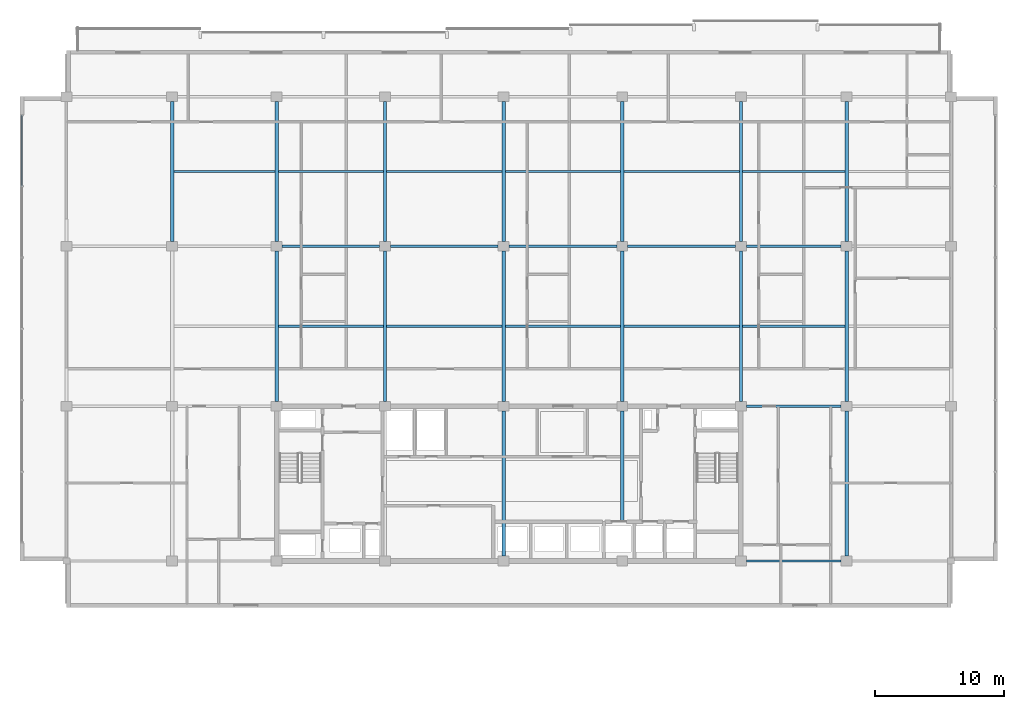
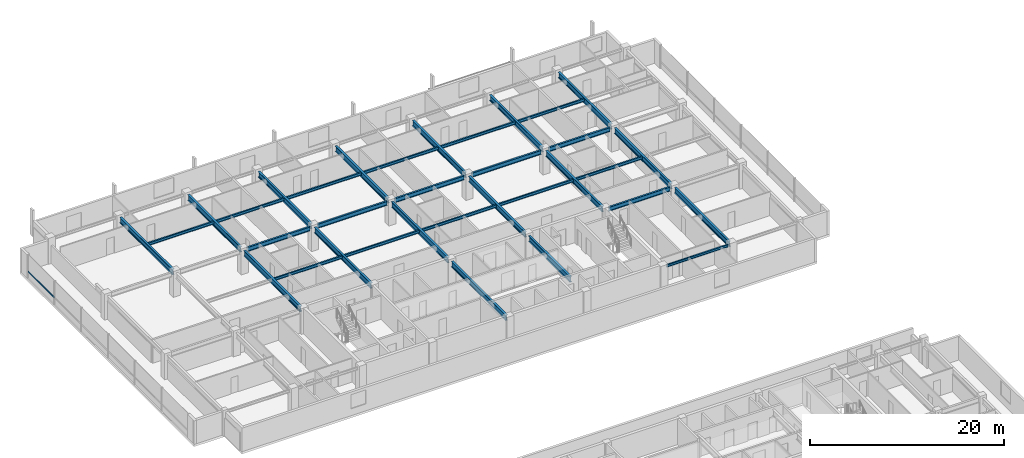
# One storey, part 9 of 32: 34 beams, 1 member, 1 element without a shape of its own.
"""IFC4 building model written with IfcOpenShell, lengths in metres."""

from ifc_helpers import new_model, si_unit, direction, frame, origin, origin_2d, place, context, subcontext, project, spatial, hollow_rectangle, i_section, extrude, material, layer, layer_set, material_profile, profile_set, type_object, element, aggregate, save


model = new_model("IFC4")

# Units and contexts
model_context = context("Model", 3, precision=1e-05, world=origin(), true_north=direction((0.0, 1.0)))
body_context = subcontext(model_context, "Body", "Model", "MODEL_VIEW")
ifc_project = project(units=[si_unit("LENGTHUNIT", "METRE"), si_unit("AREAUNIT", "SQUARE_METRE"), si_unit("VOLUMEUNIT", "CUBIC_METRE"), si_unit("PLANEANGLEUNIT", "RADIAN"), si_unit("MASSUNIT", "GRAM", prefix="KILO")], contexts=[model_context])

# Site, building, storey
site_placement = place(None, origin())
site = spatial("IfcSite", under=ifc_project, at=site_placement, CompositionType="ELEMENT")
building_placement = place(site_placement, origin())
building = spatial("IfcBuilding", under=site, at=building_placement, Name="Korimba Cascade Residences", CompositionType="ELEMENT")
storey_placement = place(building_placement, frame((0.0, 0.0, 178.35009765625)))
storey = spatial("IfcBuildingStorey", under=building, at=storey_placement, Name="L51", CompositionType="ELEMENT", Elevation=178.35009765625)

# Beams
ifc_material_1 = material(Name="Steel S355", Category="steel")
ifc_material_profile_1 = material_profile(ifc_material_1, i_section(OverallWidth=0.165771484375, OverallDepth=0.306640625, WebThickness=0.006591796875, FlangeThickness=0.01171875, FilletRadius=0.0087890625, at=origin_2d()), Name="Steel S355")
ifc_profile_set_1 = profile_set([ifc_material_profile_1], Name="Steel S355")
beam_type_1 = type_object("IfcBeamType", Name="BM-STL-UB305", PredefinedType="SPANDREL", material=ifc_profile_set_1)
beam_1_placement = place(storey_placement, frame((112.52490234375, 55.199951171875, 2.816650390625), z_axis=(1.0, 0.0, 0.0), x_axis=(0.0, 1.0, 0.0)))
element("IfcBeam", 1, at=beam_1_placement, inside=storey, type_object=beam_type_1, Name="L51 T1 E-W Girder Y1 Bay 7", PredefinedType="SPANDREL", context=body_context, shape_type="SweptSolid", body=[
    extrude(i_section(OverallWidth=0.165771484375, OverallDepth=0.306640625, WebThickness=0.006591796875, FlangeThickness=0.01171875, FilletRadius=0.0087890625, at=origin_2d()), origin(), (0.0, 0.0, 1.0), 7.35009765625),
])
ifc_material_profile_2 = material_profile(ifc_material_1, i_section(OverallWidth=0.172119140625, OverallDepth=0.35791015625, WebThickness=0.008056640625, FlangeThickness=0.012939453125, FilletRadius=0.01025390625, at=origin_2d()), Name="Steel S355")
ifc_profile_set_2 = profile_set([ifc_material_profile_2], Name="Steel S355")
beam_type_2 = type_object("IfcBeamType", Name="BM-STL-UB356", PredefinedType="JOIST", material=ifc_profile_set_2)
beam_2_placement = place(storey_placement, frame((76.227783203125, 73.39990234375, 2.791015625), z_axis=(1.0, 0.0, 0.0), x_axis=(0.0, 1.0, 0.0)))
element("IfcBeam", 2, at=beam_2_placement, inside=storey, type_object=beam_type_2, Name="L51 T1 Floor Joist 1.3", PredefinedType="JOIST", context=body_context, shape_type="SweptSolid", body=[
    extrude(i_section(OverallWidth=0.172119140625, OverallDepth=0.35791015625, WebThickness=0.008056640625, FlangeThickness=0.012939453125, FilletRadius=0.01025390625, at=origin_2d()), origin(), (0.0, 0.0, 1.0), 8.144287109375),
])
beam_3_placement = place(storey_placement, frame((84.6279296875, 73.39990234375, 2.791015625), z_axis=(1.0, 0.0, 0.0), x_axis=(0.0, 1.0, 0.0)))
element("IfcBeam", 3, at=beam_3_placement, inside=storey, type_object=beam_type_2, Name="L51 T1 Floor Joist 1.4", PredefinedType="JOIST", context=body_context, shape_type="SweptSolid", body=[
    extrude(i_section(OverallWidth=0.172119140625, OverallDepth=0.35791015625, WebThickness=0.008056640625, FlangeThickness=0.012939453125, FilletRadius=0.01025390625, at=origin_2d()), origin(), (0.0, 0.0, 1.0), 8.944091796875),
])
for number, where, z_axis, x_axis, name in (
    (4, (93.827880859375, 73.39990234375, 2.791015625), (1.0, 0.0, 0.0), (0.0, 1.0, 0.0), "L51 T1 Floor Joist 1.5"),
    (5, (103.02783203125, 73.39990234375, 2.791015625), (1.0, 0.0, 0.0), (0.0, 1.0, 0.0), "L51 T1 Floor Joist 1.6"),
):
    element("IfcBeam", number, at=place(storey_placement, frame(where, z_axis=z_axis, x_axis=x_axis)), inside=storey, type_object=beam_type_2, Name=name, PredefinedType="JOIST", context=body_context, shape_type="SweptSolid", body=[
        extrude(i_section(OverallWidth=0.172119140625, OverallDepth=0.35791015625, WebThickness=0.008056640625, FlangeThickness=0.012939453125, FilletRadius=0.01025390625, at=origin_2d()), origin(), (0.0, 0.0, 1.0), 8.9443359375),
    ])
beam_4_placement = place(storey_placement, frame((112.227783203125, 73.39990234375, 2.791015625), z_axis=(1.0, 0.0, 0.0), x_axis=(0.0, 1.0, 0.0)))
element("IfcBeam", 6, at=beam_4_placement, inside=storey, type_object=beam_type_2, Name="L51 T1 Floor Joist 1.7", PredefinedType="JOIST", context=body_context, shape_type="SweptSolid", body=[
    extrude(i_section(OverallWidth=0.172119140625, OverallDepth=0.35791015625, WebThickness=0.008056640625, FlangeThickness=0.012939453125, FilletRadius=0.01025390625, at=origin_2d()), origin(), (0.0, 0.0, 1.0), 7.9443359375),
])
beam_5_placement = place(storey_placement, frame((68.1279296875, 85.39990234375, 2.791015625), z_axis=(1.0, 0.0, 0.0), x_axis=(0.0, 1.0, 0.0)))
element("IfcBeam", 7, at=beam_5_placement, inside=storey, type_object=beam_type_2, Name="L51 T1 Floor Joist 2.2", PredefinedType="JOIST", context=body_context, shape_type="SweptSolid", body=[
    extrude(i_section(OverallWidth=0.172119140625, OverallDepth=0.35791015625, WebThickness=0.008056640625, FlangeThickness=0.012939453125, FilletRadius=0.01025390625, at=origin_2d()), origin(), (0.0, 0.0, 1.0), 7.84423828125),
])
beam_6_placement = place(storey_placement, frame((76.227783203125, 85.39990234375, 2.791015625), z_axis=(1.0, 0.0, 0.0), x_axis=(0.0, 1.0, 0.0)))
element("IfcBeam", 8, at=beam_6_placement, inside=storey, type_object=beam_type_2, Name="L51 T1 Floor Joist 2.3", PredefinedType="JOIST", context=body_context, shape_type="SweptSolid", body=[
    extrude(i_section(OverallWidth=0.172119140625, OverallDepth=0.35791015625, WebThickness=0.008056640625, FlangeThickness=0.012939453125, FilletRadius=0.01025390625, at=origin_2d()), origin(), (0.0, 0.0, 1.0), 8.144287109375),
])
beam_7_placement = place(storey_placement, frame((84.6279296875, 85.39990234375, 2.791015625), z_axis=(1.0, 0.0, 0.0), x_axis=(0.0, 1.0, 0.0)))
element("IfcBeam", 9, at=beam_7_placement, inside=storey, type_object=beam_type_2, Name="L51 T1 Floor Joist 2.4", PredefinedType="JOIST", context=body_context, shape_type="SweptSolid", body=[
    extrude(i_section(OverallWidth=0.172119140625, OverallDepth=0.35791015625, WebThickness=0.008056640625, FlangeThickness=0.012939453125, FilletRadius=0.01025390625, at=origin_2d()), origin(), (0.0, 0.0, 1.0), 8.944091796875),
])
for number, where, z_axis, x_axis, name in (
    (10, (93.827880859375, 85.39990234375, 2.791015625), (1.0, 0.0, 0.0), (0.0, 1.0, 0.0), "L51 T1 Floor Joist 2.5"),
    (11, (103.02783203125, 85.39990234375, 2.791015625), (1.0, 0.0, 0.0), (0.0, 1.0, 0.0), "L51 T1 Floor Joist 2.6"),
):
    element("IfcBeam", number, at=place(storey_placement, frame(where, z_axis=z_axis, x_axis=x_axis)), inside=storey, type_object=beam_type_2, Name=name, PredefinedType="JOIST", context=body_context, shape_type="SweptSolid", body=[
        extrude(i_section(OverallWidth=0.172119140625, OverallDepth=0.35791015625, WebThickness=0.008056640625, FlangeThickness=0.012939453125, FilletRadius=0.01025390625, at=origin_2d()), origin(), (0.0, 0.0, 1.0), 8.9443359375),
    ])
beam_8_placement = place(storey_placement, frame((112.227783203125, 85.39990234375, 2.791015625), z_axis=(1.0, 0.0, 0.0), x_axis=(0.0, 1.0, 0.0)))
element("IfcBeam", 12, at=beam_8_placement, inside=storey, type_object=beam_type_2, Name="L51 T1 Floor Joist 2.7", PredefinedType="JOIST", context=body_context, shape_type="SweptSolid", body=[
    extrude(i_section(OverallWidth=0.172119140625, OverallDepth=0.35791015625, WebThickness=0.008056640625, FlangeThickness=0.012939453125, FilletRadius=0.01025390625, at=origin_2d()), origin(), (0.0, 0.0, 1.0), 7.9443359375),
])
ifc_material_profile_3 = material_profile(ifc_material_1, i_section(OverallWidth=0.2099609375, OverallDepth=0.53662109375, WebThickness=0.0107421875, FlangeThickness=0.017333984375, FilletRadius=0.0126953125, at=origin_2d()), Name="Steel S355")
ifc_profile_set_3 = profile_set([ifc_material_profile_3], Name="Steel S355")
beam_type_3 = type_object("IfcBeamType", Name="BM-STL-UB533", PredefinedType="BEAM", material=ifc_profile_set_3)
beam_9_placement = place(storey_placement, frame((112.52490234375, 67.199951171875, 2.701416015625), z_axis=(1.0, 0.0, 0.0), x_axis=(0.0, 1.0, 0.0)))
element("IfcBeam", 13, at=beam_9_placement, inside=storey, type_object=beam_type_3, Name="L51 T1 E-W Girder Y2 Bay 7", PredefinedType="BEAM", context=body_context, shape_type="SweptSolid", body=[
    extrude(i_section(OverallWidth=0.2099609375, OverallDepth=0.53662109375, WebThickness=0.0107421875, FlangeThickness=0.017333984375, FilletRadius=0.0126953125, at=origin_2d()), origin(), (0.0, 0.0, 1.0), 7.35009765625),
])
beam_10_placement = place(storey_placement, frame((76.52490234375, 79.60009765625, 2.701416015625), z_axis=(1.0, 0.0, 0.0), x_axis=(0.0, 1.0, 0.0)))
element("IfcBeam", 14, at=beam_10_placement, inside=storey, type_object=beam_type_3, Name="L51 T1 E-W Girder Y3 Bay 3", PredefinedType="BEAM", context=body_context, shape_type="SweptSolid", body=[
    extrude(i_section(OverallWidth=0.2099609375, OverallDepth=0.53662109375, WebThickness=0.0107421875, FlangeThickness=0.017333984375, FilletRadius=0.0126953125, at=origin_2d()), origin(), (0.0, 0.0, 1.0), 7.550048828125),
])
beam_11_placement = place(storey_placement, frame((84.925048828125, 79.60009765625, 2.701416015625), z_axis=(1.0, 0.0, 0.0), x_axis=(0.0, 1.0, 0.0)))
element("IfcBeam", 15, at=beam_11_placement, inside=storey, type_object=beam_type_3, Name="L51 T1 E-W Girder Y3 Bay 4", PredefinedType="BEAM", context=body_context, shape_type="SweptSolid", body=[
    extrude(i_section(OverallWidth=0.2099609375, OverallDepth=0.53662109375, WebThickness=0.0107421875, FlangeThickness=0.017333984375, FilletRadius=0.0126953125, at=origin_2d()), origin(), (0.0, 0.0, 1.0), 8.349853515625),
])
for number, where, z_axis, x_axis, name in (
    (16, (94.125, 79.60009765625, 2.701416015625), (1.0, 0.0, 0.0), (0.0, 1.0, 0.0), "L51 T1 E-W Girder Y3 Bay 5"),
    (17, (103.324951171875, 79.60009765625, 2.701416015625), (1.0, 0.0, 0.0), (0.0, 1.0, 0.0), "L51 T1 E-W Girder Y3 Bay 6"),
):
    element("IfcBeam", number, at=place(storey_placement, frame(where, z_axis=z_axis, x_axis=x_axis)), inside=storey, type_object=beam_type_3, Name=name, PredefinedType="BEAM", context=body_context, shape_type="SweptSolid", body=[
        extrude(i_section(OverallWidth=0.2099609375, OverallDepth=0.53662109375, WebThickness=0.0107421875, FlangeThickness=0.017333984375, FilletRadius=0.0126953125, at=origin_2d()), origin(), (0.0, 0.0, 1.0), 8.35009765625),
    ])
beam_12_placement = place(storey_placement, frame((112.52490234375, 79.60009765625, 2.701416015625), z_axis=(1.0, 0.0, 0.0), x_axis=(0.0, 1.0, 0.0)))
element("IfcBeam", 18, at=beam_12_placement, inside=storey, type_object=beam_type_3, Name="L51 T1 E-W Girder Y3 Bay 7", PredefinedType="BEAM", context=body_context, shape_type="SweptSolid", body=[
    extrude(i_section(OverallWidth=0.2099609375, OverallDepth=0.53662109375, WebThickness=0.0107421875, FlangeThickness=0.017333984375, FilletRadius=0.0126953125, at=origin_2d()), origin(), (0.0, 0.0, 1.0), 7.35009765625),
])
ifc_material_profile_4 = material_profile(ifc_material_1, i_section(OverallWidth=0.255859375, OverallDepth=0.69287109375, WebThickness=0.014404296875, FlangeThickness=0.023681640625, FilletRadius=0.01513671875, at=origin_2d()), Name="Steel S355")
ifc_profile_set_4 = profile_set([ifc_material_profile_4], Name="Steel S355")
beam_type_4 = type_object("IfcBeamType", Name="BM-STL-UB686", PredefinedType="BEAM", material=ifc_profile_set_4)
beam_13_placement = place(storey_placement, frame((68.0, 79.97509765625, 2.623291015625), z_axis=(0.0, 1.0, 0.0), x_axis=(-1.0, 0.0, 0.0)))
element("IfcBeam", 19, at=beam_13_placement, inside=storey, type_object=beam_type_4, Name="L51 T1 N-S Girder X2 Seg 3", PredefinedType="BEAM", context=body_context, shape_type="SweptSolid", body=[
    extrude(i_section(OverallWidth=0.255859375, OverallDepth=0.69287109375, WebThickness=0.014404296875, FlangeThickness=0.023681640625, FilletRadius=0.01513671875, at=origin_2d()), origin(), (0.0, 0.0, 1.0), 10.849853515625),
])
beam_14_placement = place(storey_placement, frame((76.10009765625, 67.574951171875, 2.623291015625), z_axis=(0.0, 1.0, 0.0), x_axis=(-1.0, 0.0, 0.0)))
element("IfcBeam", 20, at=beam_14_placement, inside=storey, type_object=beam_type_4, Name="L51 T1 N-S Girder X3 Seg 2", PredefinedType="BEAM", context=body_context, shape_type="SweptSolid", body=[
    extrude(i_section(OverallWidth=0.255859375, OverallDepth=0.69287109375, WebThickness=0.014404296875, FlangeThickness=0.023681640625, FilletRadius=0.01513671875, at=origin_2d()), origin(), (0.0, 0.0, 1.0), 11.650146484375),
])
beam_15_placement = place(storey_placement, frame((76.10009765625, 79.97509765625, 2.623291015625), z_axis=(0.0, 1.0, 0.0), x_axis=(-1.0, 0.0, 0.0)))
element("IfcBeam", 21, at=beam_15_placement, inside=storey, type_object=beam_type_4, Name="L51 T1 N-S Girder X3 Seg 3", PredefinedType="BEAM", context=body_context, shape_type="SweptSolid", body=[
    extrude(i_section(OverallWidth=0.255859375, OverallDepth=0.69287109375, WebThickness=0.014404296875, FlangeThickness=0.023681640625, FilletRadius=0.01513671875, at=origin_2d()), origin(), (0.0, 0.0, 1.0), 10.849853515625),
])
beam_16_placement = place(storey_placement, frame((84.5, 67.574951171875, 2.623291015625), z_axis=(0.0, 1.0, 0.0), x_axis=(-1.0, 0.0, 0.0)))
element("IfcBeam", 22, at=beam_16_placement, inside=storey, type_object=beam_type_4, Name="L51 T1 N-S Girder X4 Seg 2", PredefinedType="BEAM", context=body_context, shape_type="SweptSolid", body=[
    extrude(i_section(OverallWidth=0.255859375, OverallDepth=0.69287109375, WebThickness=0.014404296875, FlangeThickness=0.023681640625, FilletRadius=0.01513671875, at=origin_2d()), origin(), (0.0, 0.0, 1.0), 11.650146484375),
])
beam_17_placement = place(storey_placement, frame((84.5, 79.97509765625, 2.623291015625), z_axis=(0.0, 1.0, 0.0), x_axis=(-1.0, 0.0, 0.0)))
element("IfcBeam", 23, at=beam_17_placement, inside=storey, type_object=beam_type_4, Name="L51 T1 N-S Girder X4 Seg 3", PredefinedType="BEAM", context=body_context, shape_type="SweptSolid", body=[
    extrude(i_section(OverallWidth=0.255859375, OverallDepth=0.69287109375, WebThickness=0.014404296875, FlangeThickness=0.023681640625, FilletRadius=0.01513671875, at=origin_2d()), origin(), (0.0, 0.0, 1.0), 10.849853515625),
])
beam_18_placement = place(storey_placement, frame((93.699951171875, 55.574951171875, 2.623291015625), z_axis=(0.0, 1.0, 0.0), x_axis=(-1.0, 0.0, 0.0)))
element("IfcBeam", 24, at=beam_18_placement, inside=storey, type_object=beam_type_4, Name="L51 T1 N-S Girder X5 Seg 1", PredefinedType="BEAM", context=body_context, shape_type="SweptSolid", body=[
    extrude(i_section(OverallWidth=0.255859375, OverallDepth=0.69287109375, WebThickness=0.014404296875, FlangeThickness=0.023681640625, FilletRadius=0.01513671875, at=origin_2d()), origin(), (0.0, 0.0, 1.0), 11.25),
])
beam_19_placement = place(storey_placement, frame((93.699951171875, 67.574951171875, 2.623291015625), z_axis=(0.0, 1.0, 0.0), x_axis=(-1.0, 0.0, 0.0)))
element("IfcBeam", 25, at=beam_19_placement, inside=storey, type_object=beam_type_4, Name="L51 T1 N-S Girder X5 Seg 2", PredefinedType="BEAM", context=body_context, shape_type="SweptSolid", body=[
    extrude(i_section(OverallWidth=0.255859375, OverallDepth=0.69287109375, WebThickness=0.014404296875, FlangeThickness=0.023681640625, FilletRadius=0.01513671875, at=origin_2d()), origin(), (0.0, 0.0, 1.0), 11.650146484375),
])
beam_20_placement = place(storey_placement, frame((93.699951171875, 79.97509765625, 2.623291015625), z_axis=(0.0, 1.0, 0.0), x_axis=(-1.0, 0.0, 0.0)))
element("IfcBeam", 26, at=beam_20_placement, inside=storey, type_object=beam_type_4, Name="L51 T1 N-S Girder X5 Seg 3", PredefinedType="BEAM", context=body_context, shape_type="SweptSolid", body=[
    extrude(i_section(OverallWidth=0.255859375, OverallDepth=0.69287109375, WebThickness=0.014404296875, FlangeThickness=0.023681640625, FilletRadius=0.01513671875, at=origin_2d()), origin(), (0.0, 0.0, 1.0), 10.849853515625),
])
beam_21_placement = place(storey_placement, frame((102.89990234375, 58.260009765625, 2.623291015625), z_axis=(0.0, 1.0, 0.0), x_axis=(-1.0, 0.0, 0.0)))
element("IfcBeam", 27, at=beam_21_placement, inside=storey, type_object=beam_type_4, Name="L51 T1 N-S Girder X6 Seg 1", PredefinedType="BEAM", context=body_context, shape_type="SweptSolid", body=[
    extrude(i_section(OverallWidth=0.255859375, OverallDepth=0.69287109375, WebThickness=0.014404296875, FlangeThickness=0.023681640625, FilletRadius=0.01513671875, at=origin_2d()), origin(), (0.0, 0.0, 1.0), 8.56494140625),
])
beam_22_placement = place(storey_placement, frame((102.89990234375, 67.574951171875, 2.623291015625), z_axis=(0.0, 1.0, 0.0), x_axis=(-1.0, 0.0, 0.0)))
element("IfcBeam", 28, at=beam_22_placement, inside=storey, type_object=beam_type_4, Name="L51 T1 N-S Girder X6 Seg 2", PredefinedType="BEAM", context=body_context, shape_type="SweptSolid", body=[
    extrude(i_section(OverallWidth=0.255859375, OverallDepth=0.69287109375, WebThickness=0.014404296875, FlangeThickness=0.023681640625, FilletRadius=0.01513671875, at=origin_2d()), origin(), (0.0, 0.0, 1.0), 11.650146484375),
])
beam_23_placement = place(storey_placement, frame((102.89990234375, 79.97509765625, 2.623291015625), z_axis=(0.0, 1.0, 0.0), x_axis=(-1.0, 0.0, 0.0)))
element("IfcBeam", 29, at=beam_23_placement, inside=storey, type_object=beam_type_4, Name="L51 T1 N-S Girder X6 Seg 3", PredefinedType="BEAM", context=body_context, shape_type="SweptSolid", body=[
    extrude(i_section(OverallWidth=0.255859375, OverallDepth=0.69287109375, WebThickness=0.014404296875, FlangeThickness=0.023681640625, FilletRadius=0.01513671875, at=origin_2d()), origin(), (0.0, 0.0, 1.0), 10.849853515625),
])
beam_24_placement = place(storey_placement, frame((112.10009765625, 67.574951171875, 2.623291015625), z_axis=(0.0, 1.0, 0.0), x_axis=(-1.0, 0.0, 0.0)))
element("IfcBeam", 30, at=beam_24_placement, inside=storey, type_object=beam_type_4, Name="L51 T1 N-S Girder X7 Seg 2", PredefinedType="BEAM", context=body_context, shape_type="SweptSolid", body=[
    extrude(i_section(OverallWidth=0.255859375, OverallDepth=0.69287109375, WebThickness=0.014404296875, FlangeThickness=0.023681640625, FilletRadius=0.01513671875, at=origin_2d()), origin(), (0.0, 0.0, 1.0), 11.650146484375),
])
beam_25_placement = place(storey_placement, frame((112.10009765625, 79.97509765625, 2.623291015625), z_axis=(0.0, 1.0, 0.0), x_axis=(-1.0, 0.0, 0.0)))
element("IfcBeam", 31, at=beam_25_placement, inside=storey, type_object=beam_type_4, Name="L51 T1 N-S Girder X7 Seg 3", PredefinedType="BEAM", context=body_context, shape_type="SweptSolid", body=[
    extrude(i_section(OverallWidth=0.255859375, OverallDepth=0.69287109375, WebThickness=0.014404296875, FlangeThickness=0.023681640625, FilletRadius=0.01513671875, at=origin_2d()), origin(), (0.0, 0.0, 1.0), 10.849853515625),
])
beam_26_placement = place(storey_placement, frame((120.300048828125, 55.574951171875, 2.623291015625), z_axis=(0.0, 1.0, 0.0), x_axis=(-1.0, 0.0, 0.0)))
element("IfcBeam", 32, at=beam_26_placement, inside=storey, type_object=beam_type_4, Name="L51 T1 N-S Girder X8 Seg 1", PredefinedType="BEAM", context=body_context, shape_type="SweptSolid", body=[
    extrude(i_section(OverallWidth=0.255859375, OverallDepth=0.69287109375, WebThickness=0.014404296875, FlangeThickness=0.023681640625, FilletRadius=0.01513671875, at=origin_2d()), origin(), (0.0, 0.0, 1.0), 11.25),
])
beam_27_placement = place(storey_placement, frame((120.300048828125, 67.574951171875, 2.623291015625), z_axis=(0.0, 1.0, 0.0), x_axis=(-1.0, 0.0, 0.0)))
element("IfcBeam", 33, at=beam_27_placement, inside=storey, type_object=beam_type_4, Name="L51 T1 N-S Girder X8 Seg 2", PredefinedType="BEAM", context=body_context, shape_type="SweptSolid", body=[
    extrude(i_section(OverallWidth=0.255859375, OverallDepth=0.69287109375, WebThickness=0.014404296875, FlangeThickness=0.023681640625, FilletRadius=0.01513671875, at=origin_2d()), origin(), (0.0, 0.0, 1.0), 11.650146484375),
])
beam_28_placement = place(storey_placement, frame((120.300048828125, 79.97509765625, 2.623291015625), z_axis=(0.0, 1.0, 0.0), x_axis=(-1.0, 0.0, 0.0)))
element("IfcBeam", 34, at=beam_28_placement, inside=storey, type_object=beam_type_4, Name="L51 T1 N-S Girder X8 Seg 3", PredefinedType="BEAM", context=body_context, shape_type="SweptSolid", body=[
    extrude(i_section(OverallWidth=0.255859375, OverallDepth=0.69287109375, WebThickness=0.014404296875, FlangeThickness=0.023681640625, FilletRadius=0.01513671875, at=origin_2d()), origin(), (0.0, 0.0, 1.0), 10.849853515625),
])

# Curtain wall, member
ifc_material_2 = material(Name="Anodised Aluminium Curtain Wall Framing", Category="aluminium")
ifc_layer = layer(ifc_material_2, 0.179931640625)
ifc_layer_set = layer_set([ifc_layer], Name="Anodised Aluminium Curtain Wall Framing")
curtain_wall_type = type_object("IfcCurtainWallType", Name="CW-SKY-SYS2", PredefinedType="NOTDEFINED", material=ifc_layer_set)
curtain_wall_placement = place(storey_placement, origin())
curtain_wall = element("IfcCurtainWall", 35, at=curtain_wall_placement, inside=storey, type_object=curtain_wall_type, Name="L51 Curtain Wall CW-L51-T1-E9", PredefinedType="NOTDEFINED")
ifc_material_3 = material(Name="Anodised Aluminium Transom", Category="aluminium")
ifc_material_profile_5 = material_profile(ifc_material_3, hollow_rectangle(XDim=0.070068359375, YDim=0.179931640625, WallThickness=0.0048828125, InnerFilletRadius=0.0048828125, OuterFilletRadius=0.010009765625, at=origin_2d()), Name="Anodised Aluminium Transom")
ifc_profile_set_5 = profile_set([ifc_material_profile_5], Name="Anodised Aluminium Transom")
member_type = type_object("IfcMemberType", Name="CWM-TRN-150", PredefinedType="USERDEFINED", material=ifc_profile_set_5)
member_placement = place(storey_placement, frame((56.35009765625, 89.760009765625, 0.83154296875), z_axis=(0.0, -1.0, 0.0), x_axis=(1.0, 0.0, 0.0)))
member = element("IfcMember", 36, at=member_placement, type_object=member_type, Name="CW-L51-T1-E9 Transom 1", ObjectType="TRANSOM", PredefinedType="USERDEFINED", context=body_context, shape_type="SweptSolid", body=[
    extrude(hollow_rectangle(XDim=0.070068359375, YDim=0.179931640625, WallThickness=0.0048828125, InnerFilletRadius=0.0048828125, OuterFilletRadius=0.010009765625, at=origin_2d()), origin(), (0.0, 0.0, 1.0), 5.493408203125),
])
aggregate(curtain_wall, [member])

save(model, "model.ifc")
